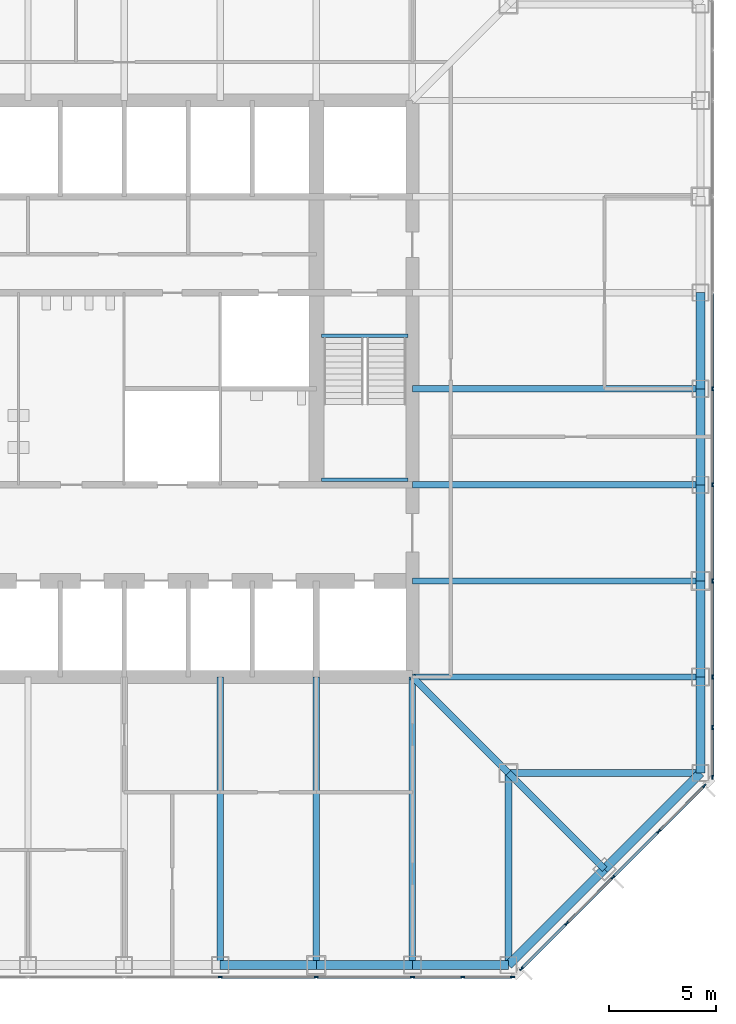
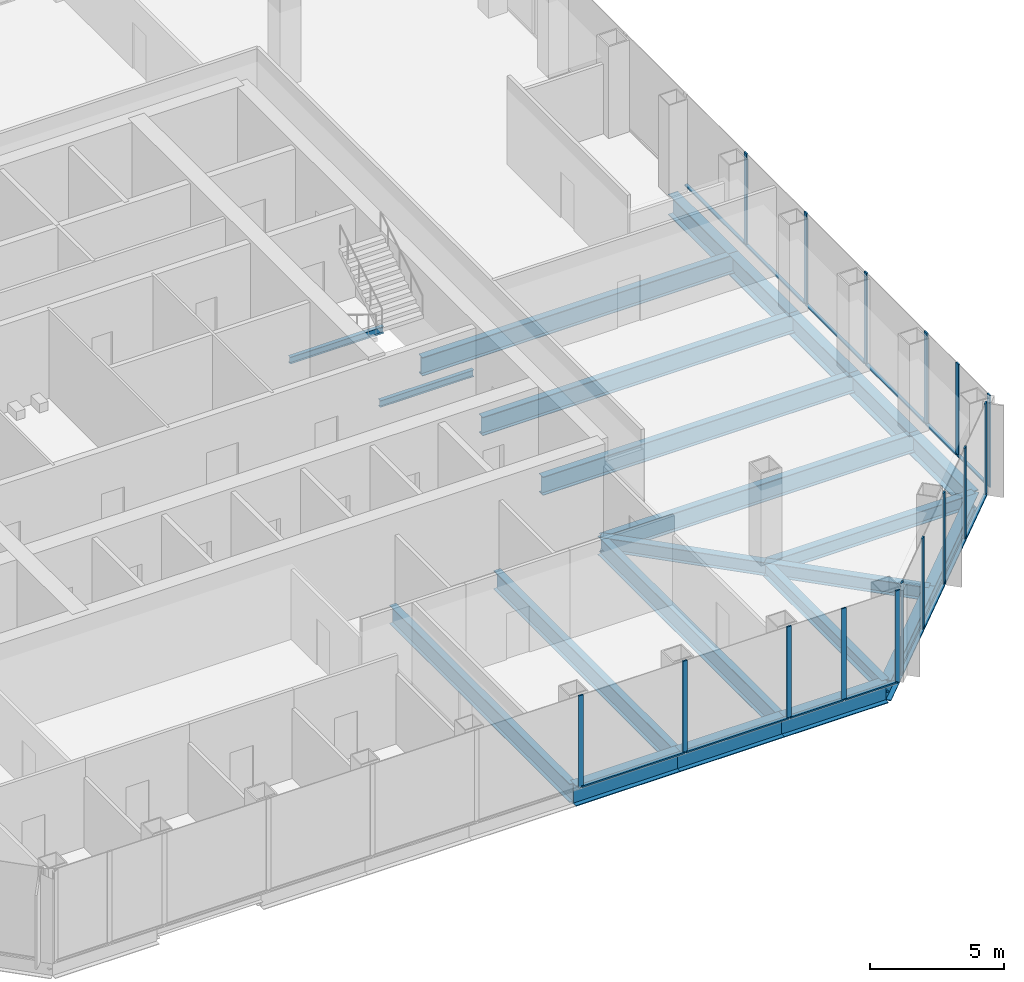
# One storey, part 4 of 13: 30 members, 23 beams, 3 elements without a shape of their own.
"""IFC4 building model written with IfcOpenShell, lengths in metres."""

from ifc_helpers import new_model, si_unit, direction, frame, origin, origin_2d, place, context, subcontext, project, spatial, rectangle, i_section, extrude, material, material_profile, profile_set, type_object, element, aggregate, save


model = new_model("IFC4")

# Units and contexts
model_context = context("Model", 3, precision=1e-05, world=origin(), true_north=direction((0.0, 1.0)))
body_context = subcontext(model_context, "Body", "Model", "MODEL_VIEW")
ifc_project = project(units=[si_unit("LENGTHUNIT", "METRE"), si_unit("AREAUNIT", "SQUARE_METRE"), si_unit("VOLUMEUNIT", "CUBIC_METRE"), si_unit("PLANEANGLEUNIT", "RADIAN"), si_unit("MASSUNIT", "GRAM", prefix="KILO")], contexts=[model_context])

# Site, building, storey
site_placement = place(None, origin())
site = spatial("IfcSite", under=ifc_project, at=site_placement, CompositionType="ELEMENT")
building_placement = place(site_placement, origin())
building = spatial("IfcBuilding", under=site, at=building_placement, Name="Corais Broadcast Tower", CompositionType="ELEMENT")
storey_placement = place(building_placement, frame((0.0, 0.0, 96.199951171875)))
storey = spatial("IfcBuildingStorey", under=building, at=storey_placement, Name="L21", CompositionType="ELEMENT", Elevation=96.199951171875)

# Beams
ifc_material_1 = material(Name="Steel ASTM A572 Grade 50", Category="steel")
ifc_material_profile_1 = material_profile(ifc_material_1, i_section(OverallWidth=0.323974609375, OverallDepth=0.611083984375, WebThickness=0.0126953125, FlangeThickness=0.01904296875, at=origin_2d()), Name="W610x155")
ifc_profile_set_1 = profile_set([ifc_material_profile_1], Name="Steel ASTM A572 Grade 50")
beam_type_1 = type_object("IfcBeamType", Name="Chamfer tie W610x155", PredefinedType="BEAM", material=ifc_profile_set_1)
beam_1_placement = place(storey_placement, frame((49.5, 4.5, -0.46533203125), z_axis=(-0.707106781187, 0.707106781187, 0.0), x_axis=(-0.707106781187, -0.707106781187, 0.0)))
element("IfcBeam", 1, at=beam_1_placement, inside=storey, type_object=beam_type_1, Name="B5 B/14 to C/13", PredefinedType="BEAM", context=body_context, shape_type="SweptSolid", body=[
    extrude(i_section(OverallWidth=0.323974609375, OverallDepth=0.611083984375, WebThickness=0.0126953125, FlangeThickness=0.01904296875, at=origin_2d()), origin(), (0.0, 0.0, 1.0), 6.364013671875),
])
ifc_material_2 = material(Name="Steel ASTM A572 Grade 50", Category="steel")
ifc_material_profile_2 = material_profile(ifc_material_2, i_section(OverallWidth=0.323974609375, OverallDepth=0.611083984375, WebThickness=0.0126953125, FlangeThickness=0.01904296875, at=origin_2d()), Name="W610x155")
ifc_profile_set_2 = profile_set([ifc_material_profile_2], Name="Steel ASTM A572 Grade 50")
beam_type_2 = type_object("IfcBeamType", Name="Corner diagonal W610x155", PredefinedType="BEAM", material=ifc_profile_set_2)
beam_2_placement = place(storey_placement, frame((45.0, 9.0, -0.46533203125), z_axis=(-0.707106781187, 0.707106781187, 0.0), x_axis=(-0.707106781187, -0.707106781187, 0.0)))
element("IfcBeam", 2, at=beam_2_placement, inside=storey, type_object=beam_type_2, Name="B6 C/13 to D/12", PredefinedType="BEAM", context=body_context, shape_type="SweptSolid", body=[
    extrude(i_section(OverallWidth=0.323974609375, OverallDepth=0.611083984375, WebThickness=0.0126953125, FlangeThickness=0.01904296875, at=origin_2d()), origin(), (0.0, 0.0, 1.0), 6.364013671875),
])
ifc_material_3 = material(Name="Steel ASTM A572 Grade 50", Category="steel")
ifc_material_profile_3 = material_profile(ifc_material_3, i_section(OverallWidth=0.323974609375, OverallDepth=0.611083984375, WebThickness=0.0126953125, FlangeThickness=0.01904296875, at=origin_2d()), Name="W610x155")
ifc_profile_set_3 = profile_set([ifc_material_profile_3], Name="Steel ASTM A572 Grade 50")
beam_type_3 = type_object("IfcBeamType", Name="Corner girder W610x155", PredefinedType="BEAM", material=ifc_profile_set_3)
for number, where, z_axis, x_axis, name in (
    (3, (45.0, 0.0, -0.46533203125), (0.0, 1.0, 0.0), (-1.0, 0.0, 0.0), "B4 A/13 to C/13"),
    (4, (54.0, 9.0, -0.46533203125), (-1.0, 0.0, 0.0), (0.0, -1.0, 0.0), "B4 C/15 to C/13"),
):
    element("IfcBeam", number, at=place(storey_placement, frame(where, z_axis=z_axis, x_axis=x_axis)), inside=storey, type_object=beam_type_3, Name=name, PredefinedType="BEAM", context=body_context, shape_type="SweptSolid", body=[
        extrude(i_section(OverallWidth=0.323974609375, OverallDepth=0.611083984375, WebThickness=0.0126953125, FlangeThickness=0.01904296875, at=origin_2d()), origin(), (0.0, 0.0, 1.0), 9.0),
    ])
ifc_material_4 = material(Name="Steel ASTM A572 Grade 50", Category="steel")
ifc_material_profile_4 = material_profile(ifc_material_4, i_section(OverallWidth=0.2939453125, OverallDepth=0.85107421875, WebThickness=0.01611328125, FlangeThickness=0.02685546875, at=origin_2d()), Name="W840x226")
ifc_profile_set_4 = profile_set([ifc_material_profile_4], Name="Steel ASTM A572 Grade 50")
beam_type_4 = type_object("IfcBeamType", Name="Floor beam W840x226", PredefinedType="BEAM", material=ifc_profile_set_4)
for number, where, z_axis, x_axis, name in (
    (5, (31.5, 0.0, -0.58544921875), (0.0, 1.0, 0.0), (-1.0, 0.0, 0.0), "B1 A/10 to D/10"),
    (6, (36.0, 0.0, -0.58544921875), (0.0, 1.0, 0.0), (-1.0, 0.0, 0.0), "B1 A/11 to D/11"),
    (7, (40.5, 0.0, -0.58544921875), (0.0, 1.0, 0.0), (-1.0, 0.0, 0.0), "B1 A/12 to D/12"),
    (8, (54.0, 13.5, -0.58544921875), (-1.0, 0.0, 0.0), (0.0, -1.0, 0.0), "B1 D/15 to D/12"),
    (9, (54.0, 18.0, -0.58544921875), (-1.0, 0.0, 0.0), (0.0, -1.0, 0.0), "B1 E/15 to E/12"),
    (10, (54.0, 22.5, -0.58544921875), (-1.0, 0.0, 0.0), (0.0, -1.0, 0.0), "B1 F/15 to F/12"),
    (11, (54.0, 27.0, -0.58544921875), (-1.0, 0.0, 0.0), (0.0, -1.0, 0.0), "B1 G/15 to G/12"),
):
    element("IfcBeam", number, at=place(storey_placement, frame(where, z_axis=z_axis, x_axis=x_axis)), inside=storey, type_object=beam_type_4, Name=name, PredefinedType="BEAM", context=body_context, shape_type="SweptSolid", body=[
        extrude(i_section(OverallWidth=0.2939453125, OverallDepth=0.85107421875, WebThickness=0.01611328125, FlangeThickness=0.02685546875, at=origin_2d()), origin(), (0.0, 0.0, 1.0), 13.5),
    ])
ifc_material_5 = material(Name="Steel ASTM A572 Grade 50", Category="steel")
ifc_material_profile_5 = material_profile(ifc_material_5, i_section(OverallWidth=0.1650390625, OverallDepth=0.31005859375, WebThickness=0.005859375, FlangeThickness=0.009765625, at=origin_2d()), Name="W310x38.7")
ifc_profile_set_5 = profile_set([ifc_material_profile_5], Name="Steel ASTM A572 Grade 50")
beam_type_5 = type_object("IfcBeamType", Name="Landing trimmer W310x38.7", PredefinedType="BEAM", material=ifc_profile_set_5)
for number, where, z_axis, x_axis, name in (
    (12, (36.25, 29.47509765625, -0.35498046875), (1.0, 0.0, 0.0), (0.0, 1.0, 0.0), "LT1 stair B landing trimmer L21"),
    (13, (36.25, 22.739990234375, 1.7451171875), (1.0, 0.0, 0.0), (0.0, 1.0, 0.0), "LT1 stair B half landing trimmer L21"),
):
    element("IfcBeam", number, at=place(storey_placement, frame(where, z_axis=z_axis, x_axis=x_axis)), inside=storey, type_object=beam_type_5, Name=name, PredefinedType="BEAM", context=body_context, shape_type="SweptSolid", body=[
        extrude(i_section(OverallWidth=0.1650390625, OverallDepth=0.31005859375, WebThickness=0.005859375, FlangeThickness=0.009765625, at=origin_2d()), origin(), (0.0, 0.0, 1.0), 4.050048828125),
    ])

# Curtain wall, members
ifc_material_6 = material(Name="Aluminium and glass", Category="aluminium")
curtain_wall_type = type_object("IfcCurtainWallType", Name="Unitised fritted curtain wall CW1", PredefinedType="NOTDEFINED", material=ifc_material_6)
curtain_wall_1_placement = place(storey_placement, origin())
curtain_wall_1 = element("IfcCurtainWall", 14, at=curtain_wall_1_placement, inside=storey, type_object=curtain_wall_type, Name="CW1 curtain wall L21 6", PredefinedType="NOTDEFINED")
ifc_material_7 = material(Name="Aluminium 6063-T6", Category="aluminium")
ifc_material_profile_6 = material_profile(ifc_material_7, rectangle(XDim=0.06494140625, YDim=0.199951171875, at=origin_2d()), Name="Mullion CW1 65x200")
ifc_profile_set_6 = profile_set([ifc_material_profile_6], Name="Aluminium 6063-T6")
member_type_1 = type_object("IfcMemberType", Name="Mullion CW1 65x200", PredefinedType="MULLION", material=ifc_profile_set_6)
member_1_placement = place(storey_placement, frame((54.550048828125, 27.0, 0.0), z_axis=(0.0, 0.0, 1.0), x_axis=(1.0, 0.0, 0.0)))
member_1 = element("IfcMember", 15, at=member_1_placement, type_object=member_type_1, Name="CW1 mullion 6", PredefinedType="MULLION", context=body_context, shape_type="SweptSolid", body=[
    extrude(rectangle(XDim=0.06494140625, YDim=0.199951171875, at=origin_2d()), origin(), (0.0, 0.0, 1.0), 4.199951171875),
])
member_2_placement = place(storey_placement, frame((54.550048828125, 22.5, 0.0), z_axis=(0.0, 0.0, 1.0), x_axis=(1.0, 0.0, 0.0)))
member_2 = element("IfcMember", 16, at=member_2_placement, type_object=member_type_1, Name="CW1 mullion 7", PredefinedType="MULLION", context=body_context, shape_type="SweptSolid", body=[
    extrude(rectangle(XDim=0.06494140625, YDim=0.199951171875, at=origin_2d()), origin(), (0.0, 0.0, 1.0), 4.199951171875),
])
member_3_placement = place(storey_placement, frame((54.550048828125, 18.0, 0.0), z_axis=(0.0, 0.0, 1.0), x_axis=(1.0, 0.0, 0.0)))
member_3 = element("IfcMember", 17, at=member_3_placement, type_object=member_type_1, Name="CW1 mullion 8", PredefinedType="MULLION", context=body_context, shape_type="SweptSolid", body=[
    extrude(rectangle(XDim=0.06494140625, YDim=0.199951171875, at=origin_2d()), origin(), (0.0, 0.0, 1.0), 4.199951171875),
])
member_4_placement = place(storey_placement, frame((54.550048828125, 13.5, 0.0), z_axis=(0.0, 0.0, 1.0), x_axis=(1.0, 0.0, 0.0)))
member_4 = element("IfcMember", 18, at=member_4_placement, type_object=member_type_1, Name="CW1 mullion 9", PredefinedType="MULLION", context=body_context, shape_type="SweptSolid", body=[
    extrude(rectangle(XDim=0.06494140625, YDim=0.199951171875, at=origin_2d()), origin(), (0.0, 0.0, 1.0), 4.199951171875),
])
member_5_placement = place(storey_placement, frame((54.550048828125, 11.135986328125, 0.0), z_axis=(0.0, 0.0, 1.0), x_axis=(1.0, 0.0, 0.0)))
member_5 = element("IfcMember", 19, at=member_5_placement, type_object=member_type_1, Name="CW1 mullion 10", PredefinedType="MULLION", context=body_context, shape_type="SweptSolid", body=[
    extrude(rectangle(XDim=0.06494140625, YDim=0.199951171875, at=origin_2d()), origin(), (0.0, 0.0, 1.0), 4.199951171875),
])
member_6_placement = place(storey_placement, frame((54.550048828125, 8.8046875, 0.0), z_axis=(0.0, 0.0, 1.0), x_axis=(1.0, 0.0, 0.0)))
member_6 = element("IfcMember", 20, at=member_6_placement, type_object=member_type_1, Name="CW1 mullion 11", PredefinedType="MULLION", context=body_context, shape_type="SweptSolid", body=[
    extrude(rectangle(XDim=0.06494140625, YDim=0.199951171875, at=origin_2d()), origin(), (0.0, 0.0, 1.0), 4.199951171875),
])

curtain_wall_2_placement = place(storey_placement, origin())
curtain_wall_2 = element("IfcCurtainWall", 21, at=curtain_wall_2_placement, inside=storey, type_object=curtain_wall_type, Name="CW1 curtain wall L21 7", PredefinedType="NOTDEFINED")
member_7_placement = place(storey_placement, frame((54.17333984375, 8.3955078125, 0.0), z_axis=(0.0, 0.0, 1.0), x_axis=(0.707106781187, -0.707106781187, 0.0)))
member_7 = element("IfcMember", 22, at=member_7_placement, type_object=member_type_1, Name="CW1 mullion 1", PredefinedType="MULLION", context=body_context, shape_type="SweptSolid", body=[
    extrude(rectangle(XDim=0.06494140625, YDim=0.199951171875, at=origin_2d()), origin(), (0.0, 0.0, 1.0), 4.199951171875),
])
member_8_placement = place(storey_placement, frame((52.042724609375, 6.264892578125, 0.0), z_axis=(0.0, 0.0, 1.0), x_axis=(0.707106781187, -0.707106781187, 0.0)))
member_8 = element("IfcMember", 23, at=member_8_placement, type_object=member_type_1, Name="CW1 mullion 2", PredefinedType="MULLION", context=body_context, shape_type="SweptSolid", body=[
    extrude(rectangle(XDim=0.06494140625, YDim=0.199951171875, at=origin_2d()), origin(), (0.0, 0.0, 1.0), 4.199951171875),
])
member_9_placement = place(storey_placement, frame((49.888916015625, 4.111083984375, 0.0), z_axis=(0.0, 0.0, 1.0), x_axis=(0.707106781187, -0.707106781187, 0.0)))
member_9 = element("IfcMember", 24, at=member_9_placement, type_object=member_type_1, Name="CW1 mullion 3", PredefinedType="MULLION", context=body_context, shape_type="SweptSolid", body=[
    extrude(rectangle(XDim=0.06494140625, YDim=0.199951171875, at=origin_2d()), origin(), (0.0, 0.0, 1.0), 4.199951171875),
])
member_10_placement = place(storey_placement, frame((47.735107421875, 1.957275390625, 0.0), z_axis=(0.0, 0.0, 1.0), x_axis=(0.707106781187, -0.707106781187, 0.0)))
member_10 = element("IfcMember", 25, at=member_10_placement, type_object=member_type_1, Name="CW1 mullion 4", PredefinedType="MULLION", context=body_context, shape_type="SweptSolid", body=[
    extrude(rectangle(XDim=0.06494140625, YDim=0.199951171875, at=origin_2d()), origin(), (0.0, 0.0, 1.0), 4.199951171875),
])
member_11_placement = place(storey_placement, frame((45.6044921875, -0.17333984375, 0.0), z_axis=(0.0, 0.0, 1.0), x_axis=(0.707106781187, -0.707106781187, 0.0)))
member_11 = element("IfcMember", 26, at=member_11_placement, type_object=member_type_1, Name="CW1 mullion 5", PredefinedType="MULLION", context=body_context, shape_type="SweptSolid", body=[
    extrude(rectangle(XDim=0.06494140625, YDim=0.199951171875, at=origin_2d()), origin(), (0.0, 0.0, 1.0), 4.199951171875),
])

curtain_wall_3_placement = place(storey_placement, origin())
curtain_wall_3 = element("IfcCurtainWall", 27, at=curtain_wall_3_placement, inside=storey, type_object=curtain_wall_type, Name="CW1 curtain wall L21 8", PredefinedType="NOTDEFINED")
member_12_placement = place(storey_placement, frame((45.1953125, -0.550048828125, 0.0), z_axis=(0.0, 0.0, 1.0), x_axis=(0.0, -1.0, 0.0)))
member_12 = element("IfcMember", 28, at=member_12_placement, type_object=member_type_1, Name="CW1 mullion 1", PredefinedType="MULLION", context=body_context, shape_type="SweptSolid", body=[
    extrude(rectangle(XDim=0.06494140625, YDim=0.199951171875, at=origin_2d()), origin(), (0.0, 0.0, 1.0), 4.199951171875),
])
member_13_placement = place(storey_placement, frame((42.864013671875, -0.550048828125, 0.0), z_axis=(0.0, 0.0, 1.0), x_axis=(0.0, -1.0, 0.0)))
member_13 = element("IfcMember", 29, at=member_13_placement, type_object=member_type_1, Name="CW1 mullion 2", PredefinedType="MULLION", context=body_context, shape_type="SweptSolid", body=[
    extrude(rectangle(XDim=0.06494140625, YDim=0.199951171875, at=origin_2d()), origin(), (0.0, 0.0, 1.0), 4.199951171875),
])
member_14_placement = place(storey_placement, frame((40.5, -0.550048828125, 0.0), z_axis=(0.0, 0.0, 1.0), x_axis=(0.0, -1.0, 0.0)))
member_14 = element("IfcMember", 30, at=member_14_placement, type_object=member_type_1, Name="CW1 mullion 3", PredefinedType="MULLION", context=body_context, shape_type="SweptSolid", body=[
    extrude(rectangle(XDim=0.06494140625, YDim=0.199951171875, at=origin_2d()), origin(), (0.0, 0.0, 1.0), 4.199951171875),
])
member_15_placement = place(storey_placement, frame((36.0, -0.550048828125, 0.0), z_axis=(0.0, 0.0, 1.0), x_axis=(0.0, -1.0, 0.0)))
member_15 = element("IfcMember", 31, at=member_15_placement, type_object=member_type_1, Name="CW1 mullion 4", PredefinedType="MULLION", context=body_context, shape_type="SweptSolid", body=[
    extrude(rectangle(XDim=0.06494140625, YDim=0.199951171875, at=origin_2d()), origin(), (0.0, 0.0, 1.0), 4.199951171875),
])
member_16_placement = place(storey_placement, frame((31.5, -0.550048828125, 0.0), z_axis=(0.0, 0.0, 1.0), x_axis=(0.0, -1.0, 0.0)))
member_16 = element("IfcMember", 32, at=member_16_placement, type_object=member_type_1, Name="CW1 mullion 5", PredefinedType="MULLION", context=body_context, shape_type="SweptSolid", body=[
    extrude(rectangle(XDim=0.06494140625, YDim=0.199951171875, at=origin_2d()), origin(), (0.0, 0.0, 1.0), 4.199951171875),
])

# Beams
ifc_material_8 = material(Name="Steel ASTM A572 Grade 50", Category="steel")
ifc_material_profile_7 = material_profile(ifc_material_8, i_section(OverallWidth=0.4189453125, OverallDepth=0.94189453125, WebThickness=0.022216796875, FlangeThickness=0.03662109375, at=origin_2d()), Name="W920x345")
ifc_profile_set_7 = profile_set([ifc_material_profile_7], Name="Steel ASTM A572 Grade 50")
beam_type_6 = type_object("IfcBeamType", Name="Transfer spandrel W920x345", PredefinedType="BEAM", material=ifc_profile_set_7)
for number, where, z_axis, x_axis, name in (
    (33, (31.5, 0.0, -0.630859375), (1.0, 0.0, 0.0), (0.0, 1.0, 0.0), "SB4 A/10 to A/11"),
    (34, (36.0, 0.0, -0.630859375), (1.0, 0.0, 0.0), (0.0, 1.0, 0.0), "SB4 A/11 to A/12"),
    (35, (40.5, 0.0, -0.630859375), (1.0, 0.0, 0.0), (0.0, 1.0, 0.0), "SB4 A/12 to A/13"),
):
    element("IfcBeam", number, at=place(storey_placement, frame(where, z_axis=z_axis, x_axis=x_axis)), inside=storey, type_object=beam_type_6, Name=name, PredefinedType="BEAM", context=body_context, shape_type="SweptSolid", body=[
        extrude(i_section(OverallWidth=0.4189453125, OverallDepth=0.94189453125, WebThickness=0.022216796875, FlangeThickness=0.03662109375, at=origin_2d()), origin(), (0.0, 0.0, 1.0), 4.5),
    ])
for number, where, z_axis, x_axis, name in (
    (36, (45.0, 0.0, -0.630859375), (0.707106781187, 0.707106781187, 0.0), (-0.707106781187, 0.707106781187, 0.0), "SB4 A/13 to B/14"),
    (37, (49.5, 4.5, -0.630859375), (0.707106781187, 0.707106781187, 0.0), (-0.707106781187, 0.707106781187, 0.0), "SB4 B/14 to C/15"),
):
    element("IfcBeam", number, at=place(storey_placement, frame(where, z_axis=z_axis, x_axis=x_axis)), inside=storey, type_object=beam_type_6, Name=name, PredefinedType="BEAM", context=body_context, shape_type="SweptSolid", body=[
        extrude(i_section(OverallWidth=0.4189453125, OverallDepth=0.94189453125, WebThickness=0.022216796875, FlangeThickness=0.03662109375, at=origin_2d()), origin(), (0.0, 0.0, 1.0), 6.364013671875),
    ])
for number, where, z_axis, x_axis, name in (
    (38, (54.0, 13.5, -0.630859375), (0.0, 1.0, 0.0), (-1.0, 0.0, 0.0), "SB4 D/15 to E/15"),
    (39, (54.0, 18.0, -0.630859375), (0.0, 1.0, 0.0), (-1.0, 0.0, 0.0), "SB4 E/15 to F/15"),
    (40, (54.0, 22.5, -0.630859375), (0.0, 1.0, 0.0), (-1.0, 0.0, 0.0), "SB4 F/15 to G/15"),
    (41, (54.0, 27.0, -0.630859375), (0.0, 1.0, 0.0), (-1.0, 0.0, 0.0), "SB4 G/15 to H/15"),
    (42, (54.0, 9.0, -0.630859375), (0.0, 1.0, 0.0), (-1.0, 0.0, 0.0), "SB4 C/15 to D/15"),
):
    element("IfcBeam", number, at=place(storey_placement, frame(where, z_axis=z_axis, x_axis=x_axis)), inside=storey, type_object=beam_type_6, Name=name, PredefinedType="BEAM", context=body_context, shape_type="SweptSolid", body=[
        extrude(i_section(OverallWidth=0.4189453125, OverallDepth=0.94189453125, WebThickness=0.022216796875, FlangeThickness=0.03662109375, at=origin_2d()), origin(), (0.0, 0.0, 1.0), 4.5),
    ])

# Member
ifc_material_9 = material(Name="Aluminium 6063-T6", Category="aluminium")
ifc_material_profile_8 = material_profile(ifc_material_9, rectangle(XDim=0.139892578125, YDim=0.06494140625, at=origin_2d()), Name="Transom CW1 65x140")
ifc_profile_set_8 = profile_set([ifc_material_profile_8], Name="Aluminium 6063-T6")
member_type_2 = type_object("IfcMemberType", Name="Transom CW1 65x140", PredefinedType="USERDEFINED", material=ifc_profile_set_8)
member_17_placement = place(storey_placement, frame((54.550048828125, 31.467529296875, 0.032470703125), z_axis=(0.0, -1.0, 0.0), x_axis=(1.0, 0.0, 0.0)))
member_17 = element("IfcMember", 43, at=member_17_placement, type_object=member_type_2, Name="CW1 transom 5.1", ObjectType="TRANSOM", PredefinedType="USERDEFINED", context=body_context, shape_type="SweptSolid", body=[
    extrude(rectangle(XDim=0.139892578125, YDim=0.06494140625, at=origin_2d()), origin(), (0.0, 0.0, 1.0), 4.43505859375),
])

member_18_placement = place(storey_placement, frame((54.550048828125, 26.967529296875, 0.032470703125), z_axis=(0.0, -1.0, 0.0), x_axis=(1.0, 0.0, 0.0)))
member_18 = element("IfcMember", 44, at=member_18_placement, type_object=member_type_2, Name="CW1 transom 6.1", ObjectType="TRANSOM", PredefinedType="USERDEFINED", context=body_context, shape_type="SweptSolid", body=[
    extrude(rectangle(XDim=0.139892578125, YDim=0.06494140625, at=origin_2d()), origin(), (0.0, 0.0, 1.0), 4.43505859375),
])

member_19_placement = place(storey_placement, frame((54.550048828125, 22.467529296875, 0.032470703125), z_axis=(0.0, -1.0, 0.0), x_axis=(1.0, 0.0, 0.0)))
member_19 = element("IfcMember", 45, at=member_19_placement, type_object=member_type_2, Name="CW1 transom 7.1", ObjectType="TRANSOM", PredefinedType="USERDEFINED", context=body_context, shape_type="SweptSolid", body=[
    extrude(rectangle(XDim=0.139892578125, YDim=0.06494140625, at=origin_2d()), origin(), (0.0, 0.0, 1.0), 4.43505859375),
])

member_20_placement = place(storey_placement, frame((54.550048828125, 17.967529296875, 0.032470703125), z_axis=(0.0, -1.0, 0.0), x_axis=(1.0, 0.0, 0.0)))
member_20 = element("IfcMember", 46, at=member_20_placement, type_object=member_type_2, Name="CW1 transom 8.1", ObjectType="TRANSOM", PredefinedType="USERDEFINED", context=body_context, shape_type="SweptSolid", body=[
    extrude(rectangle(XDim=0.139892578125, YDim=0.06494140625, at=origin_2d()), origin(), (0.0, 0.0, 1.0), 4.43505859375),
])

member_21_placement = place(storey_placement, frame((54.550048828125, 13.467529296875, 0.032470703125), z_axis=(0.0, -1.0, 0.0), x_axis=(1.0, 0.0, 0.0)))
member_21 = element("IfcMember", 47, at=member_21_placement, type_object=member_type_2, Name="CW1 transom 9.1", ObjectType="TRANSOM", PredefinedType="USERDEFINED", context=body_context, shape_type="SweptSolid", body=[
    extrude(rectangle(XDim=0.139892578125, YDim=0.06494140625, at=origin_2d()), origin(), (0.0, 0.0, 1.0), 2.298828125),
])

member_22_placement = place(storey_placement, frame((54.550048828125, 11.103515625, 0.032470703125), z_axis=(0.0, -1.0, 0.0), x_axis=(1.0, 0.0, 0.0)))
member_22 = element("IfcMember", 48, at=member_22_placement, type_object=member_type_2, Name="CW1 transom 10.1", ObjectType="TRANSOM", PredefinedType="USERDEFINED", context=body_context, shape_type="SweptSolid", body=[
    extrude(rectangle(XDim=0.139892578125, YDim=0.06494140625, at=origin_2d()), origin(), (0.0, 0.0, 1.0), 2.266357421875),
])

aggregate(curtain_wall_1, [member_1, member_2, member_3, member_4, member_5, member_6, member_17, member_18, member_19, member_20, member_21, member_22])

member_23_placement = place(storey_placement, frame((54.150390625, 8.37255859375, 0.032470703125), z_axis=(-0.707106781187, -0.707106781187, 0.0), x_axis=(0.707106781187, -0.707106781187, 0.0)))
member_23 = element("IfcMember", 49, at=member_23_placement, type_object=member_type_2, Name="CW1 transom 1.1", ObjectType="TRANSOM", PredefinedType="USERDEFINED", context=body_context, shape_type="SweptSolid", body=[
    extrude(rectangle(XDim=0.139892578125, YDim=0.06494140625, at=origin_2d()), origin(), (0.0, 0.0, 1.0), 2.9482421875),
])

member_24_placement = place(storey_placement, frame((52.019775390625, 6.241943359375, 0.032470703125), z_axis=(-0.707106781187, -0.707106781187, 0.0), x_axis=(0.707106781187, -0.707106781187, 0.0)))
member_24 = element("IfcMember", 50, at=member_24_placement, type_object=member_type_2, Name="CW1 transom 2.1", ObjectType="TRANSOM", PredefinedType="USERDEFINED", context=body_context, shape_type="SweptSolid", body=[
    extrude(rectangle(XDim=0.139892578125, YDim=0.06494140625, at=origin_2d()), origin(), (0.0, 0.0, 1.0), 2.98095703125),
])

member_25_placement = place(storey_placement, frame((49.865966796875, 4.088134765625, 0.032470703125), z_axis=(-0.707106781187, -0.707106781187, 0.0), x_axis=(0.707106781187, -0.707106781187, 0.0)))
member_25 = element("IfcMember", 51, at=member_25_placement, type_object=member_type_2, Name="CW1 transom 3.1", ObjectType="TRANSOM", PredefinedType="USERDEFINED", context=body_context, shape_type="SweptSolid", body=[
    extrude(rectangle(XDim=0.139892578125, YDim=0.06494140625, at=origin_2d()), origin(), (0.0, 0.0, 1.0), 2.98095703125),
])

member_26_placement = place(storey_placement, frame((47.712158203125, 1.934326171875, 0.032470703125), z_axis=(-0.707106781187, -0.707106781187, 0.0), x_axis=(0.707106781187, -0.707106781187, 0.0)))
member_26 = element("IfcMember", 52, at=member_26_placement, type_object=member_type_2, Name="CW1 transom 4.1", ObjectType="TRANSOM", PredefinedType="USERDEFINED", context=body_context, shape_type="SweptSolid", body=[
    extrude(rectangle(XDim=0.139892578125, YDim=0.06494140625, at=origin_2d()), origin(), (0.0, 0.0, 1.0), 2.9482421875),
])

aggregate(curtain_wall_2, [member_7, member_8, member_9, member_10, member_11, member_23, member_24, member_25, member_26])

member_27_placement = place(storey_placement, frame((45.162841796875, -0.550048828125, 0.032470703125), z_axis=(-1.0, 0.0, 0.0), x_axis=(0.0, -1.0, 0.0)))
member_27 = element("IfcMember", 53, at=member_27_placement, type_object=member_type_2, Name="CW1 transom 1.1", ObjectType="TRANSOM", PredefinedType="USERDEFINED", context=body_context, shape_type="SweptSolid", body=[
    extrude(rectangle(XDim=0.139892578125, YDim=0.06494140625, at=origin_2d()), origin(), (0.0, 0.0, 1.0), 2.266357421875),
])

member_28_placement = place(storey_placement, frame((42.831298828125, -0.550048828125, 0.032470703125), z_axis=(-1.0, 0.0, 0.0), x_axis=(0.0, -1.0, 0.0)))
member_28 = element("IfcMember", 54, at=member_28_placement, type_object=member_type_2, Name="CW1 transom 2.1", ObjectType="TRANSOM", PredefinedType="USERDEFINED", context=body_context, shape_type="SweptSolid", body=[
    extrude(rectangle(XDim=0.139892578125, YDim=0.06494140625, at=origin_2d()), origin(), (0.0, 0.0, 1.0), 2.298828125),
])

member_29_placement = place(storey_placement, frame((40.467529296875, -0.550048828125, 0.032470703125), z_axis=(-1.0, 0.0, 0.0), x_axis=(0.0, -1.0, 0.0)))
member_29 = element("IfcMember", 55, at=member_29_placement, type_object=member_type_2, Name="CW1 transom 3.1", ObjectType="TRANSOM", PredefinedType="USERDEFINED", context=body_context, shape_type="SweptSolid", body=[
    extrude(rectangle(XDim=0.139892578125, YDim=0.06494140625, at=origin_2d()), origin(), (0.0, 0.0, 1.0), 4.43505859375),
])

member_30_placement = place(storey_placement, frame((35.967529296875, -0.550048828125, 0.032470703125), z_axis=(-1.0, 0.0, 0.0), x_axis=(0.0, -1.0, 0.0)))
member_30 = element("IfcMember", 56, at=member_30_placement, type_object=member_type_2, Name="CW1 transom 4.1", ObjectType="TRANSOM", PredefinedType="USERDEFINED", context=body_context, shape_type="SweptSolid", body=[
    extrude(rectangle(XDim=0.139892578125, YDim=0.06494140625, at=origin_2d()), origin(), (0.0, 0.0, 1.0), 4.43505859375),
])

aggregate(curtain_wall_3, [member_12, member_13, member_14, member_15, member_16, member_27, member_28, member_29, member_30])

save(model, "model.ifc")
